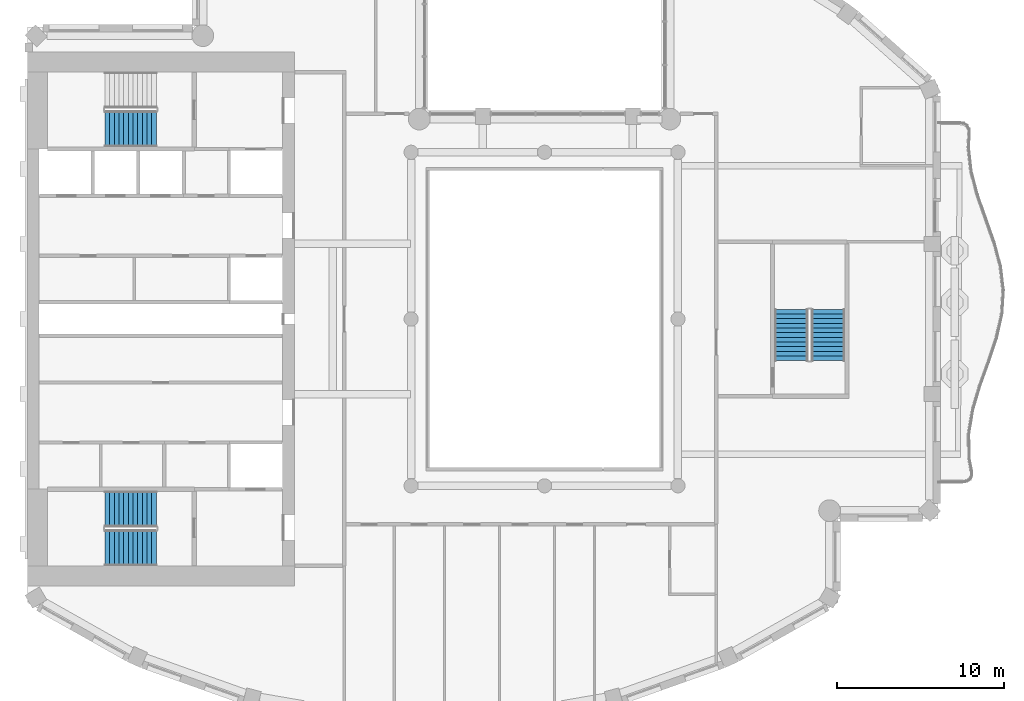
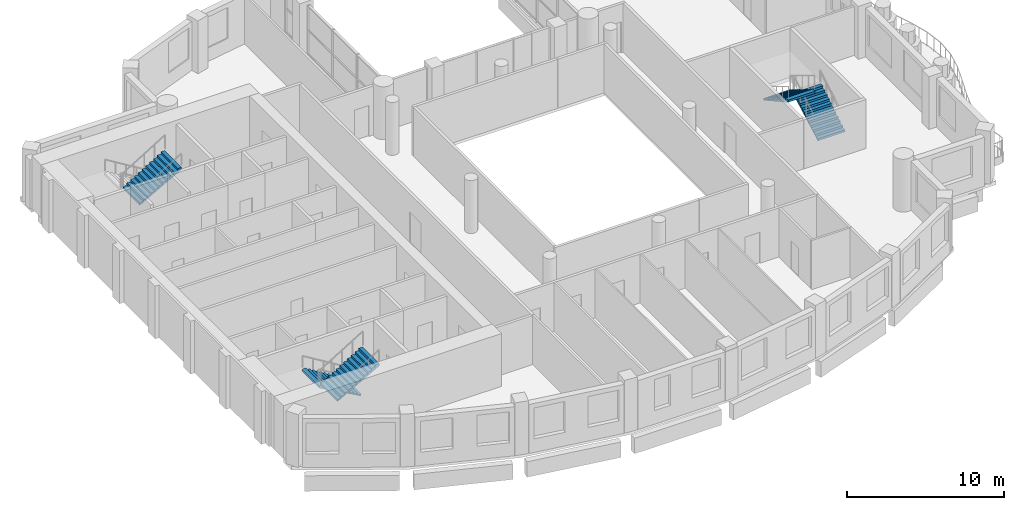
# One storey, part 8 of 14: 5 stair flights, 3 elements without a shape of their own.
"""IFC4 building model written with IfcOpenShell, lengths in metres."""

from ifc_helpers import new_model, si_unit, direction, frame, origin, place, context, subcontext, project, spatial, triangles, material, type_object, element, aggregate, save


model = new_model("IFC4")

# Units and contexts
model_context = context("Model", 3, precision=1e-05, world=origin(), true_north=direction((0.0, 1.0)))
body_context = subcontext(model_context, "Body", "Model", "MODEL_VIEW")
ifc_project = project(units=[si_unit("LENGTHUNIT", "METRE"), si_unit("AREAUNIT", "SQUARE_METRE"), si_unit("VOLUMEUNIT", "CUBIC_METRE"), si_unit("PLANEANGLEUNIT", "RADIAN"), si_unit("MASSUNIT", "GRAM", prefix="KILO")], contexts=[model_context])

# Site, building, storey
site_placement = place(None, origin())
site = spatial("IfcSite", under=ifc_project, at=site_placement, CompositionType="ELEMENT")
building_placement = place(site_placement, origin())
building = spatial("IfcBuilding", under=site, at=building_placement, Name="Cypress Arch Tower", CompositionType="ELEMENT")
storey_placement = place(building_placement, frame((0.0, 0.0, 304.89990234375)))
storey = spatial("IfcBuildingStorey", under=building, at=storey_placement, Name="L69", CompositionType="ELEMENT", Elevation=304.89990234375)

# Stair, stair flights
ifc_material_1 = material(Name="Concrete C40/50", Category="concrete")
stair_type_1 = type_object("IfcStairType", Name="Exit stair ES1708-200", PredefinedType="HALF_TURN_STAIR", material=ifc_material_1)
stair_1_placement = place(storey_placement, origin())
stair_1 = element("IfcStair", 1, at=stair_1_placement, inside=storey, type_object=stair_type_1, Name="L69 Exit stair C", PredefinedType="HALF_TURN_STAIR")
ifc_material_2 = material(Name="Concrete C40/50", Category="concrete")
stair_flight_type_1 = type_object("IfcStairFlightType", Name="Exit stair flight ES1708-200", PredefinedType="STRAIGHT", material=ifc_material_2)
stair_flight_1_placement = place(storey_placement, frame((18.0, -2.5, 0.0), z_axis=(0.0, 0.0, 1.0), x_axis=(0.0, 1.0, 0.0)))
stair_flight_1 = element("IfcStairFlight", 2, at=stair_flight_1_placement, type_object=stair_flight_type_1, Name="C flight 1", NumberOfRisers=12, NumberOfTreads=11, PredefinedType="STRAIGHT", RiserHeight=0.170833333, TreadLength=0.28, context=body_context, shape_type="Tessellation", body=[
    triangles([(0.0, -1.0, 0.0), (0.0, -1.0, 0.1708984375), (0.280029296875, -1.0, 0.1708984375), (0.280029296875, -1.0, 0.341552734375), (0.56005859375, -1.0, 0.341552734375), (0.56005859375, -1.0, 0.512451171875), (0.840087890625, -1.0, 0.512451171875), (0.840087890625, -1.0, 0.683349609375), (1.1201171875, -1.0, 0.683349609375), (1.1201171875, -1.0, 0.854248046875), (1.39990234375, -1.0, 0.854248046875), (1.39990234375, -1.0, 1.02490234375), (1.679931640625, -1.0, 1.02490234375), (1.679931640625, -1.0, 1.19580078125), (1.9599609375, -1.0, 1.19580078125), (1.9599609375, -1.0, 1.36669921875), (2.239990234375, -1.0, 1.36669921875), (2.239990234375, -1.0, 1.53759765625), (2.52001953125, -1.0, 1.53759765625), (2.52001953125, -1.0, 1.708251953125), (2.800048828125, -1.0, 1.708251953125), (2.800048828125, -1.0, 1.879150390625), (3.080078125, -1.0, 1.879150390625), (3.080078125, -1.0, 1.70361328125), (3.080078125, 1.0, 1.70361328125), (3.080078125, 1.0, 1.879150390625), (2.800048828125, 1.0, 1.879150390625), (2.800048828125, 1.0, 1.708251953125), (2.52001953125, 1.0, 1.708251953125), (2.52001953125, 1.0, 1.53759765625), (2.239990234375, 1.0, 1.53759765625), (2.239990234375, 1.0, 1.36669921875), (1.9599609375, 1.0, 1.36669921875), (1.9599609375, 1.0, 1.19580078125), (1.679931640625, 1.0, 1.19580078125), (1.679931640625, 1.0, 1.02490234375), (1.39990234375, 1.0, 1.02490234375), (1.39990234375, 1.0, 0.854248046875), (1.1201171875, 1.0, 0.854248046875), (1.1201171875, 1.0, 0.683349609375), (0.840087890625, 1.0, 0.683349609375), (0.840087890625, 1.0, 0.512451171875), (0.56005859375, 1.0, 0.512451171875), (0.56005859375, 1.0, 0.341552734375), (0.280029296875, 1.0, 0.341552734375), (0.280029296875, 1.0, 0.1708984375), (0.0, 1.0, 0.1708984375), (0.0, 1.0, 0.0), (3.080078125, 0.0, 1.879150390625), (3.080078125, 0.0, 1.70361328125), (2.800048828125, 0.0, 1.879150390625), (2.800048828125, 0.0, 1.708251953125), (2.52001953125, 0.0, 1.708251953125), (2.52001953125, 0.0, 1.53759765625), (2.239990234375, 0.0, 1.53759765625), (2.239990234375, 0.0, 1.36669921875), (1.9599609375, 0.0, 1.36669921875), (1.9599609375, 0.0, 1.19580078125), (1.679931640625, 0.0, 1.19580078125), (1.679931640625, 0.0, 1.02490234375), (1.39990234375, 0.0, 1.02490234375), (1.39990234375, 0.0, 0.854248046875), (1.1201171875, 0.0, 0.854248046875), (1.1201171875, 0.0, 0.683349609375), (0.840087890625, 0.0, 0.683349609375), (0.840087890625, 0.0, 0.512451171875), (0.56005859375, 0.0, 0.512451171875), (0.56005859375, 0.0, 0.341552734375), (0.280029296875, 0.0, 0.341552734375), (0.280029296875, 0.0, 0.1708984375), (0.0, 0.0, 0.1708984375), (0.0, 0.0, 0.0)], [[24, 23, 22], [11, 10, 9], [19, 18, 17], [17, 16, 15], [15, 14, 13], [9, 8, 7], [7, 6, 5], [3, 2, 1], [21, 20, 19], [13, 12, 11], [5, 4, 3], [24, 22, 21], [24, 21, 19], [24, 19, 17], [24, 17, 15], [24, 15, 13], [24, 13, 11], [24, 11, 9], [24, 9, 7], [24, 7, 5], [1, 24, 5], [5, 3, 1], [25, 27, 26], [38, 40, 39], [30, 32, 31], [32, 34, 33], [34, 36, 35], [40, 42, 41], [42, 44, 43], [46, 48, 47], [28, 30, 29], [36, 38, 37], [44, 46, 45], [25, 28, 27], [25, 30, 28], [25, 32, 30], [25, 34, 32], [25, 36, 34], [25, 38, 36], [25, 40, 38], [25, 42, 40], [25, 44, 42], [48, 44, 25], [44, 48, 46], [50, 49, 23], [50, 23, 24], [25, 26, 49], [25, 49, 50], [49, 51, 22], [49, 22, 23], [26, 27, 51], [26, 51, 49], [51, 52, 21], [51, 21, 22], [27, 28, 52], [27, 52, 51], [52, 53, 20], [52, 20, 21], [28, 29, 53], [28, 53, 52], [53, 54, 19], [53, 19, 20], [29, 30, 54], [29, 54, 53], [54, 55, 18], [54, 18, 19], [30, 31, 55], [30, 55, 54], [55, 56, 17], [55, 17, 18], [31, 32, 56], [31, 56, 55], [56, 57, 16], [56, 16, 17], [32, 33, 57], [32, 57, 56], [57, 58, 15], [57, 15, 16], [33, 34, 58], [33, 58, 57], [58, 59, 14], [58, 14, 15], [34, 35, 59], [34, 59, 58], [59, 60, 13], [59, 13, 14], [35, 36, 60], [35, 60, 59], [60, 61, 12], [60, 12, 13], [36, 37, 61], [36, 61, 60], [61, 62, 11], [61, 11, 12], [37, 38, 62], [37, 62, 61], [62, 63, 10], [62, 10, 11], [38, 39, 63], [38, 63, 62], [63, 64, 9], [63, 9, 10], [39, 40, 64], [39, 64, 63], [64, 65, 8], [64, 8, 9], [40, 41, 65], [40, 65, 64], [65, 66, 7], [65, 7, 8], [41, 42, 66], [41, 66, 65], [66, 67, 6], [66, 6, 7], [42, 43, 67], [42, 67, 66], [67, 68, 5], [67, 5, 6], [43, 44, 68], [43, 68, 67], [68, 69, 4], [68, 4, 5], [44, 45, 69], [44, 69, 68], [69, 70, 3], [69, 3, 4], [45, 46, 70], [45, 70, 69], [70, 71, 2], [70, 2, 3], [46, 47, 71], [46, 71, 70], [71, 72, 1], [71, 1, 2], [47, 48, 72], [47, 72, 71], [72, 50, 24], [72, 24, 1], [48, 25, 50], [48, 50, 72]], closed=True),
])
stair_flight_2_placement = place(storey_placement, frame((15.800048828125, 0.580078125, 2.050048828125), z_axis=(0.0, 0.0, 1.0), x_axis=(0.0, -1.0, 0.0)))
stair_flight_2 = element("IfcStairFlight", 3, at=stair_flight_2_placement, type_object=stair_flight_type_1, Name="C flight 2", NumberOfRisers=12, NumberOfTreads=11, PredefinedType="STRAIGHT", RiserHeight=0.170833333, TreadLength=0.28, context=body_context, shape_type="Tessellation", body=[
    triangles([(0.0, -1.0, 0.0), (0.0, -1.0, 0.1708984375), (0.280029296875, -1.0, 0.1708984375), (0.280029296875, -1.0, 0.341552734375), (0.56005859375, -1.0, 0.341552734375), (0.56005859375, -1.0, 0.512451171875), (0.840087890625, -1.0, 0.512451171875), (0.840087890625, -1.0, 0.683349609375), (1.1201171875, -1.0, 0.683349609375), (1.1201171875, -1.0, 0.854248046875), (1.39990234375, -1.0, 0.854248046875), (1.39990234375, -1.0, 1.02490234375), (1.679931640625, -1.0, 1.02490234375), (1.679931640625, -1.0, 1.19580078125), (1.9599609375, -1.0, 1.19580078125), (1.9599609375, -1.0, 1.36669921875), (2.239990234375, -1.0, 1.36669921875), (2.239990234375, -1.0, 1.53759765625), (2.52001953125, -1.0, 1.53759765625), (2.52001953125, -1.0, 1.708251953125), (2.800048828125, -1.0, 1.708251953125), (2.800048828125, -1.0, 1.879150390625), (3.080078125, -1.0, 1.879150390625), (3.080078125, -1.0, 1.70361328125), (3.080078125, 1.0, 1.70361328125), (3.080078125, 1.0, 1.879150390625), (2.800048828125, 1.0, 1.879150390625), (2.800048828125, 1.0, 1.708251953125), (2.52001953125, 1.0, 1.708251953125), (2.52001953125, 1.0, 1.53759765625), (2.239990234375, 1.0, 1.53759765625), (2.239990234375, 1.0, 1.36669921875), (1.9599609375, 1.0, 1.36669921875), (1.9599609375, 1.0, 1.19580078125), (1.679931640625, 1.0, 1.19580078125), (1.679931640625, 1.0, 1.02490234375), (1.39990234375, 1.0, 1.02490234375), (1.39990234375, 1.0, 0.854248046875), (1.1201171875, 1.0, 0.854248046875), (1.1201171875, 1.0, 0.683349609375), (0.840087890625, 1.0, 0.683349609375), (0.840087890625, 1.0, 0.512451171875), (0.56005859375, 1.0, 0.512451171875), (0.56005859375, 1.0, 0.341552734375), (0.280029296875, 1.0, 0.341552734375), (0.280029296875, 1.0, 0.1708984375), (0.0, 1.0, 0.1708984375), (0.0, 1.0, 0.0), (3.080078125, 0.0, 1.879150390625), (3.080078125, 0.0, 1.70361328125), (2.800048828125, 0.0, 1.879150390625), (2.800048828125, 0.0, 1.708251953125), (2.52001953125, 0.0, 1.708251953125), (2.52001953125, 0.0, 1.53759765625), (2.239990234375, 0.0, 1.53759765625), (2.239990234375, 0.0, 1.36669921875), (1.9599609375, 0.0, 1.36669921875), (1.9599609375, 0.0, 1.19580078125), (1.679931640625, 0.0, 1.19580078125), (1.679931640625, 0.0, 1.02490234375), (1.39990234375, 0.0, 1.02490234375), (1.39990234375, 0.0, 0.854248046875), (1.1201171875, 0.0, 0.854248046875), (1.1201171875, 0.0, 0.683349609375), (0.840087890625, 0.0, 0.683349609375), (0.840087890625, 0.0, 0.512451171875), (0.56005859375, 0.0, 0.512451171875), (0.56005859375, 0.0, 0.341552734375), (0.280029296875, 0.0, 0.341552734375), (0.280029296875, 0.0, 0.1708984375), (0.0, 0.0, 0.1708984375), (0.0, 0.0, 0.0)], [[24, 23, 22], [11, 10, 9], [19, 18, 17], [17, 16, 15], [15, 14, 13], [9, 8, 7], [7, 6, 5], [3, 2, 1], [21, 20, 19], [13, 12, 11], [5, 4, 3], [24, 22, 21], [24, 21, 19], [24, 19, 17], [24, 17, 15], [24, 15, 13], [24, 13, 11], [24, 11, 9], [24, 9, 7], [24, 7, 5], [1, 24, 5], [5, 3, 1], [25, 27, 26], [38, 40, 39], [30, 32, 31], [32, 34, 33], [34, 36, 35], [40, 42, 41], [42, 44, 43], [46, 48, 47], [28, 30, 29], [36, 38, 37], [44, 46, 45], [25, 28, 27], [25, 30, 28], [25, 32, 30], [25, 34, 32], [25, 36, 34], [25, 38, 36], [25, 40, 38], [25, 42, 40], [25, 44, 42], [48, 44, 25], [44, 48, 46], [50, 49, 23], [50, 23, 24], [25, 26, 49], [25, 49, 50], [49, 51, 22], [49, 22, 23], [26, 27, 51], [26, 51, 49], [51, 52, 21], [51, 21, 22], [27, 28, 52], [27, 52, 51], [52, 53, 20], [52, 20, 21], [28, 29, 53], [28, 53, 52], [53, 54, 19], [53, 19, 20], [29, 30, 54], [29, 54, 53], [54, 55, 18], [54, 18, 19], [30, 31, 55], [30, 55, 54], [55, 56, 17], [55, 17, 18], [31, 32, 56], [31, 56, 55], [56, 57, 16], [56, 16, 17], [32, 33, 57], [32, 57, 56], [57, 58, 15], [57, 15, 16], [33, 34, 58], [33, 58, 57], [58, 59, 14], [58, 14, 15], [34, 35, 59], [34, 59, 58], [59, 60, 13], [59, 13, 14], [35, 36, 60], [35, 60, 59], [60, 61, 12], [60, 12, 13], [36, 37, 61], [36, 61, 60], [61, 62, 11], [61, 11, 12], [37, 38, 62], [37, 62, 61], [62, 63, 10], [62, 10, 11], [38, 39, 63], [38, 63, 62], [63, 64, 9], [63, 9, 10], [39, 40, 64], [39, 64, 63], [64, 65, 8], [64, 8, 9], [40, 41, 65], [40, 65, 64], [65, 66, 7], [65, 7, 8], [41, 42, 66], [41, 66, 65], [66, 67, 6], [66, 6, 7], [42, 43, 67], [42, 67, 66], [67, 68, 5], [67, 5, 6], [43, 44, 68], [43, 68, 67], [68, 69, 4], [68, 4, 5], [44, 45, 69], [44, 69, 68], [69, 70, 3], [69, 3, 4], [45, 46, 70], [45, 70, 69], [70, 71, 2], [70, 2, 3], [46, 47, 71], [46, 71, 70], [71, 72, 1], [71, 1, 2], [47, 48, 72], [47, 72, 71], [72, 50, 24], [72, 24, 1], [48, 25, 50], [48, 50, 72]], closed=True),
])
aggregate(stair_1, [stair_flight_1, stair_flight_2])

ifc_material_3 = material(Name="Concrete C40/50", Category="concrete")
stair_type_2 = type_object("IfcStairType", Name="Exit stair ES1708-215", PredefinedType="HALF_TURN_STAIR", material=ifc_material_3)
stair_2_placement = place(storey_placement, origin())
stair_2 = element("IfcStair", 4, at=stair_2_placement, inside=storey, type_object=stair_type_2, Name="L69 Exit stair A", PredefinedType="HALF_TURN_STAIR")
ifc_material_4 = material(Name="Concrete C40/50", Category="concrete")
stair_flight_type_2 = type_object("IfcStairFlightType", Name="Exit stair flight ES1708-215", PredefinedType="STRAIGHT", material=ifc_material_4)
stair_flight_3_placement = place(storey_placement, frame((-22.27490234375, -11.39990234375, 0.0), z_axis=(0.0, 0.0, 1.0), x_axis=(-1.0, 0.0, 0.0)))
stair_flight_3 = element("IfcStairFlight", 5, at=stair_flight_3_placement, type_object=stair_flight_type_2, Name="A flight 1", NumberOfRisers=12, NumberOfTreads=11, PredefinedType="STRAIGHT", RiserHeight=0.170833333, TreadLength=0.28, context=body_context, shape_type="Tessellation", body=[
    triangles([(0.0, -1.074951171875, 0.0), (0.000244140625, -1.074951171875, 0.01904296875), (0.000244140625, -1.074951171875, 0.0380859375), (0.00048828125, -1.074951171875, 0.056884765625), (0.00048828125, -1.074951171875, 0.075927734375), (0.00048828125, -1.074951171875, 0.094970703125), (0.00048828125, -1.074951171875, 0.114013671875), (0.000244140625, -1.074951171875, 0.1328125), (0.000244140625, -1.074951171875, 0.15185546875), (0.0, -1.074951171875, 0.1708984375), (0.280029296875, -1.074951171875, 0.1708984375), (0.280029296875, -1.074951171875, 0.341552734375), (0.56005859375, -1.074951171875, 0.341552734375), (0.56005859375, -1.074951171875, 0.512451171875), (0.840087890625, -1.074951171875, 0.512451171875), (0.840087890625, -1.074951171875, 0.683349609375), (1.1201171875, -1.074951171875, 0.683349609375), (1.1201171875, -1.074951171875, 0.854248046875), (1.39990234375, -1.074951171875, 0.854248046875), (1.39990234375, -1.074951171875, 1.02490234375), (1.679931640625, -1.074951171875, 1.02490234375), (1.679931640625, -1.074951171875, 1.19580078125), (1.9599609375, -1.074951171875, 1.19580078125), (1.9599609375, -1.074951171875, 1.36669921875), (2.239990234375, -1.074951171875, 1.36669921875), (2.239990234375, -1.074951171875, 1.53759765625), (2.52001953125, -1.074951171875, 1.53759765625), (2.52001953125, -1.074951171875, 1.708251953125), (2.800048828125, -1.074951171875, 1.708251953125), (2.800048828125, -1.074951171875, 1.879150390625), (3.080078125, -1.074951171875, 1.879150390625), (3.079833984375, -1.074951171875, 1.859619140625), (3.079833984375, -1.074951171875, 1.840087890625), (3.07958984375, -1.074951171875, 1.820556640625), (3.07958984375, -1.074951171875, 1.801025390625), (3.07958984375, -1.074951171875, 1.78173828125), (3.07958984375, -1.074951171875, 1.76220703125), (3.079833984375, -1.074951171875, 1.74267578125), (3.079833984375, -1.074951171875, 1.72314453125), (3.080078125, -1.074951171875, 1.70361328125), (3.080078125, 1.074951171875, 1.70361328125), (3.079833984375, 1.074951171875, 1.72314453125), (3.079833984375, 1.074951171875, 1.74267578125), (3.07958984375, 1.074951171875, 1.76220703125), (3.07958984375, 1.074951171875, 1.78173828125), (3.07958984375, 1.074951171875, 1.801025390625), (3.07958984375, 1.074951171875, 1.820556640625), (3.079833984375, 1.074951171875, 1.840087890625), (3.079833984375, 1.074951171875, 1.859619140625), (3.080078125, 1.074951171875, 1.879150390625), (2.800048828125, 1.074951171875, 1.879150390625), (2.800048828125, 1.074951171875, 1.708251953125), (2.52001953125, 1.074951171875, 1.708251953125), (2.52001953125, 1.074951171875, 1.53759765625), (2.239990234375, 1.074951171875, 1.53759765625), (2.239990234375, 1.074951171875, 1.36669921875), (1.9599609375, 1.074951171875, 1.36669921875), (1.9599609375, 1.074951171875, 1.19580078125), (1.679931640625, 1.074951171875, 1.19580078125), (1.679931640625, 1.074951171875, 1.02490234375), (1.39990234375, 1.074951171875, 1.02490234375), (1.39990234375, 1.074951171875, 0.854248046875), (1.1201171875, 1.074951171875, 0.854248046875), (1.1201171875, 1.074951171875, 0.683349609375), (0.840087890625, 1.074951171875, 0.683349609375), (0.840087890625, 1.074951171875, 0.512451171875), (0.56005859375, 1.074951171875, 0.512451171875), (0.56005859375, 1.074951171875, 0.341552734375), (0.280029296875, 1.074951171875, 0.341552734375), (0.280029296875, 1.074951171875, 0.1708984375), (0.0, 1.074951171875, 0.1708984375), (0.000244140625, 1.074951171875, 0.15185546875), (0.000244140625, 1.074951171875, 0.1328125), (0.00048828125, 1.074951171875, 0.114013671875), (0.00048828125, 1.074951171875, 0.094970703125), (0.00048828125, 1.074951171875, 0.075927734375), (0.00048828125, 1.074951171875, 0.056884765625), (0.000244140625, 1.074951171875, 0.0380859375), (0.000244140625, 1.074951171875, 0.01904296875), (0.0, 1.074951171875, 0.0)], [[40, 39, 30], [39, 38, 30], [38, 37, 30], [37, 36, 30], [36, 35, 30], [35, 34, 30], [34, 33, 30], [33, 32, 30], [32, 31, 30], [19, 18, 17], [27, 26, 25], [25, 24, 23], [23, 22, 21], [17, 16, 15], [15, 14, 13], [10, 9, 11], [9, 8, 11], [8, 7, 11], [7, 6, 11], [6, 5, 11], [5, 4, 11], [4, 3, 11], [3, 2, 11], [2, 1, 11], [29, 28, 27], [21, 20, 19], [13, 12, 11], [40, 30, 29], [40, 29, 27], [40, 27, 25], [40, 25, 23], [40, 23, 21], [40, 21, 19], [40, 19, 17], [40, 17, 15], [40, 15, 13], [1, 40, 13], [13, 11, 1], [41, 51, 42], [42, 51, 43], [43, 51, 44], [44, 51, 45], [45, 51, 46], [46, 51, 47], [47, 51, 48], [48, 51, 49], [49, 51, 50], [62, 64, 63], [54, 56, 55], [56, 58, 57], [58, 60, 59], [64, 66, 65], [66, 68, 67], [71, 70, 72], [72, 70, 73], [73, 70, 74], [74, 70, 75], [75, 70, 76], [76, 70, 77], [77, 70, 78], [78, 70, 79], [79, 70, 80], [52, 54, 53], [60, 62, 61], [68, 70, 69], [41, 52, 51], [41, 54, 52], [41, 56, 54], [41, 58, 56], [41, 60, 58], [41, 62, 60], [41, 64, 62], [41, 66, 64], [41, 68, 66], [80, 68, 41], [68, 80, 70], [41, 42, 39], [41, 39, 40], [42, 43, 38], [42, 38, 39], [43, 44, 37], [43, 37, 38], [44, 45, 36], [44, 36, 37], [45, 46, 35], [45, 35, 36], [46, 47, 34], [46, 34, 35], [47, 48, 33], [47, 33, 34], [48, 49, 32], [48, 32, 33], [49, 50, 31], [49, 31, 32], [50, 51, 30], [50, 30, 31], [51, 52, 29], [51, 29, 30], [52, 53, 28], [52, 28, 29], [53, 54, 27], [53, 27, 28], [54, 55, 26], [54, 26, 27], [55, 56, 25], [55, 25, 26], [56, 57, 24], [56, 24, 25], [57, 58, 23], [57, 23, 24], [58, 59, 22], [58, 22, 23], [59, 60, 21], [59, 21, 22], [60, 61, 20], [60, 20, 21], [61, 62, 19], [61, 19, 20], [62, 63, 18], [62, 18, 19], [63, 64, 17], [63, 17, 18], [64, 65, 16], [64, 16, 17], [65, 66, 15], [65, 15, 16], [66, 67, 14], [66, 14, 15], [67, 68, 13], [67, 13, 14], [68, 69, 12], [68, 12, 13], [69, 70, 11], [69, 11, 12], [70, 71, 10], [70, 10, 11], [71, 72, 9], [71, 9, 10], [72, 73, 8], [72, 8, 9], [73, 74, 7], [73, 7, 8], [74, 75, 6], [74, 6, 7], [75, 76, 5], [75, 5, 6], [76, 77, 4], [76, 4, 5], [77, 78, 3], [77, 3, 4], [78, 79, 2], [78, 2, 3], [79, 80, 1], [79, 1, 2], [80, 41, 40], [80, 40, 1]], closed=True),
])
stair_flight_4_placement = place(storey_placement, frame((-25.35498046875, -13.72509765625, 2.050048828125), z_axis=(0.0, 0.0, 1.0), x_axis=(1.0, 0.0, 0.0)))
stair_flight_4 = element("IfcStairFlight", 6, at=stair_flight_4_placement, type_object=stair_flight_type_2, Name="A flight 2", NumberOfRisers=12, NumberOfTreads=11, PredefinedType="STRAIGHT", RiserHeight=0.170833333, TreadLength=0.28, context=body_context, shape_type="Tessellation", body=[
    triangles([(0.0, -1.074951171875, 0.0), (0.000244140625, -1.074951171875, 0.01904296875), (0.000244140625, -1.074951171875, 0.0380859375), (0.00048828125, -1.074951171875, 0.056884765625), (0.00048828125, -1.074951171875, 0.075927734375), (0.00048828125, -1.074951171875, 0.094970703125), (0.00048828125, -1.074951171875, 0.114013671875), (0.000244140625, -1.074951171875, 0.1328125), (0.000244140625, -1.074951171875, 0.15185546875), (0.0, -1.074951171875, 0.1708984375), (0.280029296875, -1.074951171875, 0.1708984375), (0.280029296875, -1.074951171875, 0.341552734375), (0.56005859375, -1.074951171875, 0.341552734375), (0.56005859375, -1.074951171875, 0.512451171875), (0.840087890625, -1.074951171875, 0.512451171875), (0.840087890625, -1.074951171875, 0.683349609375), (1.1201171875, -1.074951171875, 0.683349609375), (1.1201171875, -1.074951171875, 0.854248046875), (1.39990234375, -1.074951171875, 0.854248046875), (1.39990234375, -1.074951171875, 1.02490234375), (1.679931640625, -1.074951171875, 1.02490234375), (1.679931640625, -1.074951171875, 1.19580078125), (1.9599609375, -1.074951171875, 1.19580078125), (1.9599609375, -1.074951171875, 1.36669921875), (2.239990234375, -1.074951171875, 1.36669921875), (2.239990234375, -1.074951171875, 1.53759765625), (2.52001953125, -1.074951171875, 1.53759765625), (2.52001953125, -1.074951171875, 1.708251953125), (2.800048828125, -1.074951171875, 1.708251953125), (2.800048828125, -1.074951171875, 1.879150390625), (3.080078125, -1.074951171875, 1.879150390625), (3.079833984375, -1.074951171875, 1.859619140625), (3.079833984375, -1.074951171875, 1.840087890625), (3.07958984375, -1.074951171875, 1.820556640625), (3.07958984375, -1.074951171875, 1.801025390625), (3.07958984375, -1.074951171875, 1.78173828125), (3.07958984375, -1.074951171875, 1.76220703125), (3.079833984375, -1.074951171875, 1.74267578125), (3.079833984375, -1.074951171875, 1.72314453125), (3.080078125, -1.074951171875, 1.70361328125), (3.080078125, 1.074951171875, 1.70361328125), (3.079833984375, 1.074951171875, 1.72314453125), (3.079833984375, 1.074951171875, 1.74267578125), (3.07958984375, 1.074951171875, 1.76220703125), (3.07958984375, 1.074951171875, 1.78173828125), (3.07958984375, 1.074951171875, 1.801025390625), (3.07958984375, 1.074951171875, 1.820556640625), (3.079833984375, 1.074951171875, 1.840087890625), (3.079833984375, 1.074951171875, 1.859619140625), (3.080078125, 1.074951171875, 1.879150390625), (2.800048828125, 1.074951171875, 1.879150390625), (2.800048828125, 1.074951171875, 1.708251953125), (2.52001953125, 1.074951171875, 1.708251953125), (2.52001953125, 1.074951171875, 1.53759765625), (2.239990234375, 1.074951171875, 1.53759765625), (2.239990234375, 1.074951171875, 1.36669921875), (1.9599609375, 1.074951171875, 1.36669921875), (1.9599609375, 1.074951171875, 1.19580078125), (1.679931640625, 1.074951171875, 1.19580078125), (1.679931640625, 1.074951171875, 1.02490234375), (1.39990234375, 1.074951171875, 1.02490234375), (1.39990234375, 1.074951171875, 0.854248046875), (1.1201171875, 1.074951171875, 0.854248046875), (1.1201171875, 1.074951171875, 0.683349609375), (0.840087890625, 1.074951171875, 0.683349609375), (0.840087890625, 1.074951171875, 0.512451171875), (0.56005859375, 1.074951171875, 0.512451171875), (0.56005859375, 1.074951171875, 0.341552734375), (0.280029296875, 1.074951171875, 0.341552734375), (0.280029296875, 1.074951171875, 0.1708984375), (0.0, 1.074951171875, 0.1708984375), (0.000244140625, 1.074951171875, 0.15185546875), (0.000244140625, 1.074951171875, 0.1328125), (0.00048828125, 1.074951171875, 0.114013671875), (0.00048828125, 1.074951171875, 0.094970703125), (0.00048828125, 1.074951171875, 0.075927734375), (0.00048828125, 1.074951171875, 0.056884765625), (0.000244140625, 1.074951171875, 0.0380859375), (0.000244140625, 1.074951171875, 0.01904296875), (0.0, 1.074951171875, 0.0)], [[40, 39, 30], [39, 38, 30], [38, 37, 30], [37, 36, 30], [36, 35, 30], [35, 34, 30], [34, 33, 30], [33, 32, 30], [32, 31, 30], [19, 18, 17], [27, 26, 25], [25, 24, 23], [23, 22, 21], [17, 16, 15], [15, 14, 13], [10, 9, 11], [9, 8, 11], [8, 7, 11], [7, 6, 11], [6, 5, 11], [5, 4, 11], [4, 3, 11], [3, 2, 11], [2, 1, 11], [29, 28, 27], [21, 20, 19], [13, 12, 11], [40, 30, 29], [40, 29, 27], [40, 27, 25], [40, 25, 23], [40, 23, 21], [40, 21, 19], [40, 19, 17], [40, 17, 15], [40, 15, 13], [1, 40, 13], [13, 11, 1], [41, 51, 42], [42, 51, 43], [43, 51, 44], [44, 51, 45], [45, 51, 46], [46, 51, 47], [47, 51, 48], [48, 51, 49], [49, 51, 50], [62, 64, 63], [54, 56, 55], [56, 58, 57], [58, 60, 59], [64, 66, 65], [66, 68, 67], [71, 70, 72], [72, 70, 73], [73, 70, 74], [74, 70, 75], [75, 70, 76], [76, 70, 77], [77, 70, 78], [78, 70, 79], [79, 70, 80], [52, 54, 53], [60, 62, 61], [68, 70, 69], [41, 52, 51], [41, 54, 52], [41, 56, 54], [41, 58, 56], [41, 60, 58], [41, 62, 60], [41, 64, 62], [41, 66, 64], [41, 68, 66], [80, 68, 41], [68, 80, 70], [41, 42, 39], [41, 39, 40], [42, 43, 38], [42, 38, 39], [43, 44, 37], [43, 37, 38], [44, 45, 36], [44, 36, 37], [45, 46, 35], [45, 35, 36], [46, 47, 34], [46, 34, 35], [47, 48, 33], [47, 33, 34], [48, 49, 32], [48, 32, 33], [49, 50, 31], [49, 31, 32], [50, 51, 30], [50, 30, 31], [51, 52, 29], [51, 29, 30], [52, 53, 28], [52, 28, 29], [53, 54, 27], [53, 27, 28], [54, 55, 26], [54, 26, 27], [55, 56, 25], [55, 25, 26], [56, 57, 24], [56, 24, 25], [57, 58, 23], [57, 23, 24], [58, 59, 22], [58, 22, 23], [59, 60, 21], [59, 21, 22], [60, 61, 20], [60, 20, 21], [61, 62, 19], [61, 19, 20], [62, 63, 18], [62, 18, 19], [63, 64, 17], [63, 17, 18], [64, 65, 16], [64, 16, 17], [65, 66, 15], [65, 15, 16], [66, 67, 14], [66, 14, 15], [67, 68, 13], [67, 13, 14], [68, 69, 12], [68, 12, 13], [69, 70, 11], [69, 11, 12], [70, 71, 10], [70, 10, 11], [71, 72, 9], [71, 9, 10], [72, 73, 8], [72, 8, 9], [73, 74, 7], [73, 7, 8], [74, 75, 6], [74, 6, 7], [75, 76, 5], [75, 5, 6], [76, 77, 4], [76, 4, 5], [77, 78, 3], [77, 3, 4], [78, 79, 2], [78, 2, 3], [79, 80, 1], [79, 1, 2], [80, 41, 40], [80, 40, 1]], closed=True),
])
aggregate(stair_2, [stair_flight_3, stair_flight_4])

# Stair, stair flight
stair_3_placement = place(storey_placement, origin())
stair_3 = element("IfcStair", 7, at=stair_3_placement, inside=storey, type_object=stair_type_2, Name="L69 Exit stair B", PredefinedType="HALF_TURN_STAIR")
stair_flight_5_placement = place(storey_placement, frame((-25.35498046875, 11.39990234375, 2.050048828125), z_axis=(0.0, 0.0, 1.0), x_axis=(1.0, 0.0, 0.0)))
stair_flight_5 = element("IfcStairFlight", 8, at=stair_flight_5_placement, type_object=stair_flight_type_2, Name="B flight 2", NumberOfRisers=12, NumberOfTreads=11, PredefinedType="STRAIGHT", RiserHeight=0.170833333, TreadLength=0.28, context=body_context, shape_type="Tessellation", body=[
    triangles([(0.0, -1.074951171875, 0.0), (0.000244140625, -1.074951171875, 0.01904296875), (0.000244140625, -1.074951171875, 0.0380859375), (0.00048828125, -1.074951171875, 0.056884765625), (0.00048828125, -1.074951171875, 0.075927734375), (0.00048828125, -1.074951171875, 0.094970703125), (0.00048828125, -1.074951171875, 0.114013671875), (0.000244140625, -1.074951171875, 0.1328125), (0.000244140625, -1.074951171875, 0.15185546875), (0.0, -1.074951171875, 0.1708984375), (0.280029296875, -1.074951171875, 0.1708984375), (0.280029296875, -1.074951171875, 0.341552734375), (0.56005859375, -1.074951171875, 0.341552734375), (0.56005859375, -1.074951171875, 0.512451171875), (0.840087890625, -1.074951171875, 0.512451171875), (0.840087890625, -1.074951171875, 0.683349609375), (1.1201171875, -1.074951171875, 0.683349609375), (1.1201171875, -1.074951171875, 0.854248046875), (1.39990234375, -1.074951171875, 0.854248046875), (1.39990234375, -1.074951171875, 1.02490234375), (1.679931640625, -1.074951171875, 1.02490234375), (1.679931640625, -1.074951171875, 1.19580078125), (1.9599609375, -1.074951171875, 1.19580078125), (1.9599609375, -1.074951171875, 1.36669921875), (2.239990234375, -1.074951171875, 1.36669921875), (2.239990234375, -1.074951171875, 1.53759765625), (2.52001953125, -1.074951171875, 1.53759765625), (2.52001953125, -1.074951171875, 1.708251953125), (2.800048828125, -1.074951171875, 1.708251953125), (2.800048828125, -1.074951171875, 1.879150390625), (3.080078125, -1.074951171875, 1.879150390625), (3.079833984375, -1.074951171875, 1.859619140625), (3.079833984375, -1.074951171875, 1.840087890625), (3.07958984375, -1.074951171875, 1.820556640625), (3.07958984375, -1.074951171875, 1.801025390625), (3.07958984375, -1.074951171875, 1.78173828125), (3.07958984375, -1.074951171875, 1.76220703125), (3.079833984375, -1.074951171875, 1.74267578125), (3.079833984375, -1.074951171875, 1.72314453125), (3.080078125, -1.074951171875, 1.70361328125), (3.080078125, 1.074951171875, 1.70361328125), (3.079833984375, 1.074951171875, 1.72314453125), (3.079833984375, 1.074951171875, 1.74267578125), (3.07958984375, 1.074951171875, 1.76220703125), (3.07958984375, 1.074951171875, 1.78173828125), (3.07958984375, 1.074951171875, 1.801025390625), (3.07958984375, 1.074951171875, 1.820556640625), (3.079833984375, 1.074951171875, 1.840087890625), (3.079833984375, 1.074951171875, 1.859619140625), (3.080078125, 1.074951171875, 1.879150390625), (2.800048828125, 1.074951171875, 1.879150390625), (2.800048828125, 1.074951171875, 1.708251953125), (2.52001953125, 1.074951171875, 1.708251953125), (2.52001953125, 1.074951171875, 1.53759765625), (2.239990234375, 1.074951171875, 1.53759765625), (2.239990234375, 1.074951171875, 1.36669921875), (1.9599609375, 1.074951171875, 1.36669921875), (1.9599609375, 1.074951171875, 1.19580078125), (1.679931640625, 1.074951171875, 1.19580078125), (1.679931640625, 1.074951171875, 1.02490234375), (1.39990234375, 1.074951171875, 1.02490234375), (1.39990234375, 1.074951171875, 0.854248046875), (1.1201171875, 1.074951171875, 0.854248046875), (1.1201171875, 1.074951171875, 0.683349609375), (0.840087890625, 1.074951171875, 0.683349609375), (0.840087890625, 1.074951171875, 0.512451171875), (0.56005859375, 1.074951171875, 0.512451171875), (0.56005859375, 1.074951171875, 0.341552734375), (0.280029296875, 1.074951171875, 0.341552734375), (0.280029296875, 1.074951171875, 0.1708984375), (0.0, 1.074951171875, 0.1708984375), (0.000244140625, 1.074951171875, 0.15185546875), (0.000244140625, 1.074951171875, 0.1328125), (0.00048828125, 1.074951171875, 0.114013671875), (0.00048828125, 1.074951171875, 0.094970703125), (0.00048828125, 1.074951171875, 0.075927734375), (0.00048828125, 1.074951171875, 0.056884765625), (0.000244140625, 1.074951171875, 0.0380859375), (0.000244140625, 1.074951171875, 0.01904296875), (0.0, 1.074951171875, 0.0)], [[40, 39, 30], [39, 38, 30], [38, 37, 30], [37, 36, 30], [36, 35, 30], [35, 34, 30], [34, 33, 30], [33, 32, 30], [32, 31, 30], [19, 18, 17], [27, 26, 25], [25, 24, 23], [23, 22, 21], [17, 16, 15], [15, 14, 13], [10, 9, 11], [9, 8, 11], [8, 7, 11], [7, 6, 11], [6, 5, 11], [5, 4, 11], [4, 3, 11], [3, 2, 11], [2, 1, 11], [29, 28, 27], [21, 20, 19], [13, 12, 11], [40, 30, 29], [40, 29, 27], [40, 27, 25], [40, 25, 23], [40, 23, 21], [40, 21, 19], [40, 19, 17], [40, 17, 15], [40, 15, 13], [1, 40, 13], [13, 11, 1], [41, 51, 42], [42, 51, 43], [43, 51, 44], [44, 51, 45], [45, 51, 46], [46, 51, 47], [47, 51, 48], [48, 51, 49], [49, 51, 50], [62, 64, 63], [54, 56, 55], [56, 58, 57], [58, 60, 59], [64, 66, 65], [66, 68, 67], [71, 70, 72], [72, 70, 73], [73, 70, 74], [74, 70, 75], [75, 70, 76], [76, 70, 77], [77, 70, 78], [78, 70, 79], [79, 70, 80], [52, 54, 53], [60, 62, 61], [68, 70, 69], [41, 52, 51], [41, 54, 52], [41, 56, 54], [41, 58, 56], [41, 60, 58], [41, 62, 60], [41, 64, 62], [41, 66, 64], [41, 68, 66], [80, 68, 41], [68, 80, 70], [41, 42, 39], [41, 39, 40], [42, 43, 38], [42, 38, 39], [43, 44, 37], [43, 37, 38], [44, 45, 36], [44, 36, 37], [45, 46, 35], [45, 35, 36], [46, 47, 34], [46, 34, 35], [47, 48, 33], [47, 33, 34], [48, 49, 32], [48, 32, 33], [49, 50, 31], [49, 31, 32], [50, 51, 30], [50, 30, 31], [51, 52, 29], [51, 29, 30], [52, 53, 28], [52, 28, 29], [53, 54, 27], [53, 27, 28], [54, 55, 26], [54, 26, 27], [55, 56, 25], [55, 25, 26], [56, 57, 24], [56, 24, 25], [57, 58, 23], [57, 23, 24], [58, 59, 22], [58, 22, 23], [59, 60, 21], [59, 21, 22], [60, 61, 20], [60, 20, 21], [61, 62, 19], [61, 19, 20], [62, 63, 18], [62, 18, 19], [63, 64, 17], [63, 17, 18], [64, 65, 16], [64, 16, 17], [65, 66, 15], [65, 15, 16], [66, 67, 14], [66, 14, 15], [67, 68, 13], [67, 13, 14], [68, 69, 12], [68, 12, 13], [69, 70, 11], [69, 11, 12], [70, 71, 10], [70, 10, 11], [71, 72, 9], [71, 9, 10], [72, 73, 8], [72, 8, 9], [73, 74, 7], [73, 7, 8], [74, 75, 6], [74, 6, 7], [75, 76, 5], [75, 5, 6], [76, 77, 4], [76, 4, 5], [77, 78, 3], [77, 3, 4], [78, 79, 2], [78, 2, 3], [79, 80, 1], [79, 1, 2], [80, 41, 40], [80, 40, 1]], closed=True),
])
aggregate(stair_3, [stair_flight_5])

save(model, "model.ifc")
